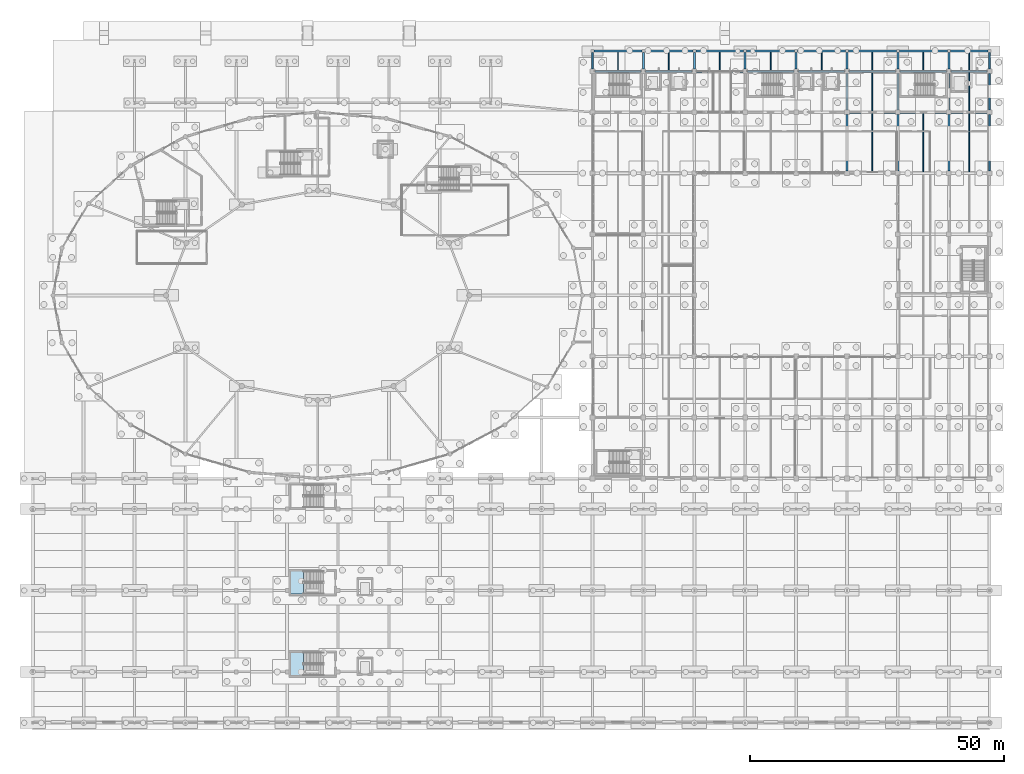
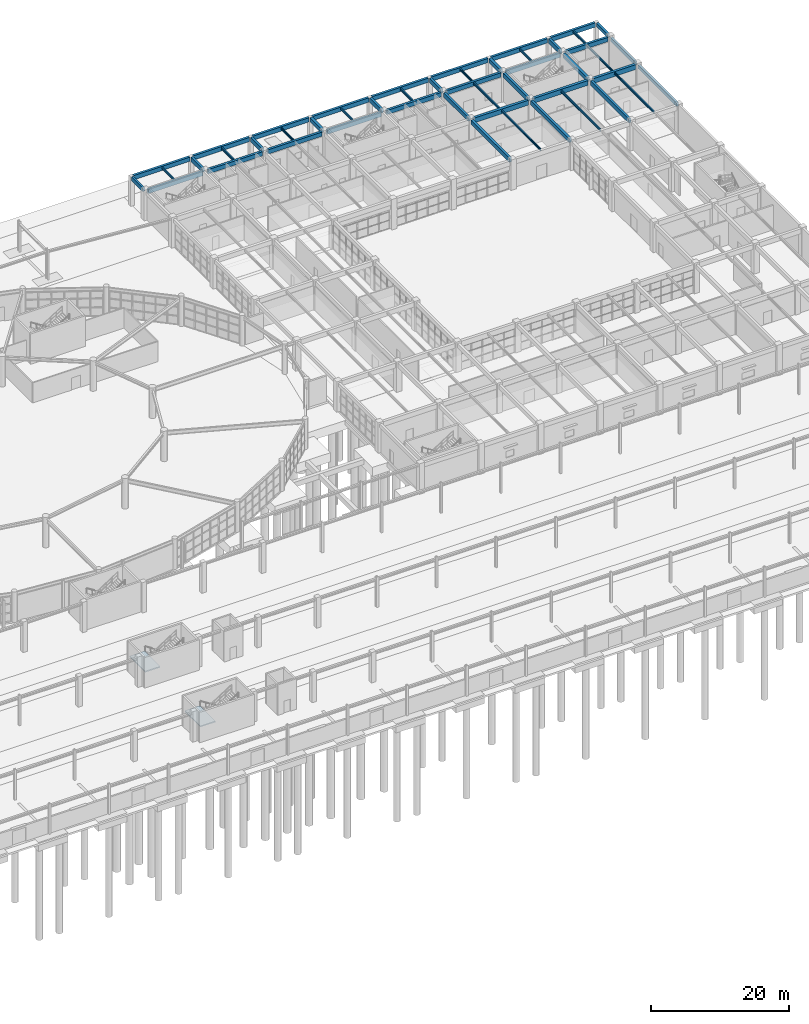
# One storey, part 63 of 99: 49 beams, 2 slabs, 2 elements without a shape of their own.
"""IFC4 building model written with IfcOpenShell, lengths in metres."""

from ifc_helpers import new_model, si_unit, direction, frame, origin, origin_2d, place, context, subcontext, project, spatial, polyline, rectangle, i_section, outline, extrude, material, layer, layer_set, material_profile, profile_set, type_object, element, aggregate, save


model = new_model("IFC4")

# Units and contexts
model_context = context("Model", 3, precision=1e-05, world=origin(), true_north=direction((0.0, 1.0)))
body_context = subcontext(model_context, "Body", "Model", "MODEL_VIEW")
ifc_project = project(units=[si_unit("LENGTHUNIT", "METRE"), si_unit("AREAUNIT", "SQUARE_METRE"), si_unit("VOLUMEUNIT", "CUBIC_METRE"), si_unit("PLANEANGLEUNIT", "RADIAN"), si_unit("MASSUNIT", "GRAM", prefix="KILO")], contexts=[model_context])

# Site, building, storey
site_placement = place(None, origin())
site = spatial("IfcSite", under=ifc_project, at=site_placement, CompositionType="ELEMENT")
building_placement = place(site_placement, origin())
building = spatial("IfcBuilding", under=site, at=building_placement, Name="Kivolera Central Railway Station", CompositionType="ELEMENT")
storey_placement = place(building_placement, origin())
storey = spatial("IfcBuildingStorey", under=building, at=storey_placement, Name="L00", CompositionType="ELEMENT", Elevation=0.0)

# Beams
ifc_material_1 = material(Name="Steel S355", Category="steel")
ifc_material_profile_1 = material_profile(ifc_material_1, i_section(OverallWidth=0.179931640625, OverallDepth=0.39990234375, WebThickness=0.008544921875, FlangeThickness=0.013427734375, FilletRadius=0.02099609375, at=origin_2d()), Name="IPE 400")
ifc_profile_set_1 = profile_set([ifc_material_profile_1], Name="Steel S355")
beam_type_1 = type_object("IfcBeamType", Name="BM-JST-IPE400", PredefinedType="JOIST", material=ifc_profile_set_1)
for number, where, z_axis, x_axis, name in (
    (1, (123.0, 134.19189453125, 4.988037109375), (0.0, 1.0, 0.0), (-1.0, 0.0, 0.0), "L00 Floor Joist 12-13/M-N"),
    (2, (133.0, 134.19189453125, 4.988037109375), (0.0, 1.0, 0.0), (-1.0, 0.0, 0.0), "L00 Floor Joist 13-14/M-N"),
    (3, (143.0, 134.19189453125, 4.988037109375), (0.0, 1.0, 0.0), (-1.0, 0.0, 0.0), "L00 Floor Joist 14-15/M-N"),
    (4, (153.0, 134.19189453125, 4.988037109375), (0.0, 1.0, 0.0), (-1.0, 0.0, 0.0), "L00 Floor Joist 15-16/M-N"),
    (5, (163.0, 134.19189453125, 4.988037109375), (0.0, 1.0, 0.0), (-1.0, 0.0, 0.0), "L00 Floor Joist 16-17/M-N"),
):
    element("IfcBeam", number, at=place(storey_placement, frame(where, z_axis=z_axis, x_axis=x_axis)), inside=storey, type_object=beam_type_1, Name=name, PredefinedType="JOIST", context=body_context, shape_type="SweptSolid", body=[
        extrude(i_section(OverallWidth=0.179931640625, OverallDepth=0.39990234375, WebThickness=0.008544921875, FlangeThickness=0.013427734375, FilletRadius=0.02099609375, at=origin_2d()), origin(), (0.0, 0.0, 1.0), 3.6162109375),
    ])
beam_1_placement = place(storey_placement, frame((173.0, 114.217041015625, 4.907958984375), z_axis=(0.0, 1.0, 0.0), x_axis=(-1.0, 0.0, 0.0)))
element("IfcBeam", 6, at=beam_1_placement, inside=storey, type_object=beam_type_1, Name="L00 Floor Joist 17-18/K-L", PredefinedType="JOIST", context=body_context, shape_type="SweptSolid", body=[
    extrude(i_section(OverallWidth=0.179931640625, OverallDepth=0.39990234375, WebThickness=0.008544921875, FlangeThickness=0.013427734375, FilletRadius=0.02099609375, at=origin_2d()), origin(), (0.0, 0.0, 1.0), 11.56591796875),
])
beam_2_placement = place(storey_placement, frame((173.0, 126.217041015625, 4.907958984375), z_axis=(0.0, 1.0, 0.0), x_axis=(-1.0, 0.0, 0.0)))
element("IfcBeam", 7, at=beam_2_placement, inside=storey, type_object=beam_type_1, Name="L00 Floor Joist 17-18/L-M", PredefinedType="JOIST", context=body_context, shape_type="SweptSolid", body=[
    extrude(i_section(OverallWidth=0.179931640625, OverallDepth=0.39990234375, WebThickness=0.008544921875, FlangeThickness=0.013427734375, FilletRadius=0.02099609375, at=origin_2d()), origin(), (0.0, 0.0, 1.0), 7.591064453125),
])
beam_3_placement = place(storey_placement, frame((173.0, 134.19189453125, 4.988037109375), z_axis=(0.0, 1.0, 0.0), x_axis=(-1.0, 0.0, 0.0)))
element("IfcBeam", 8, at=beam_3_placement, inside=storey, type_object=beam_type_1, Name="L00 Floor Joist 17-18/M-N", PredefinedType="JOIST", context=body_context, shape_type="SweptSolid", body=[
    extrude(i_section(OverallWidth=0.179931640625, OverallDepth=0.39990234375, WebThickness=0.008544921875, FlangeThickness=0.013427734375, FilletRadius=0.02099609375, at=origin_2d()), origin(), (0.0, 0.0, 1.0), 3.6162109375),
])
beam_4_placement = place(storey_placement, frame((183.0, 114.217041015625, 4.907958984375), z_axis=(0.0, 1.0, 0.0), x_axis=(-1.0, 0.0, 0.0)))
element("IfcBeam", 9, at=beam_4_placement, inside=storey, type_object=beam_type_1, Name="L00 Floor Joist 18-19/K-L", PredefinedType="JOIST", context=body_context, shape_type="SweptSolid", body=[
    extrude(i_section(OverallWidth=0.179931640625, OverallDepth=0.39990234375, WebThickness=0.008544921875, FlangeThickness=0.013427734375, FilletRadius=0.02099609375, at=origin_2d()), origin(), (0.0, 0.0, 1.0), 11.56591796875),
])
beam_5_placement = place(storey_placement, frame((183.0, 134.19189453125, 4.988037109375), z_axis=(0.0, 1.0, 0.0), x_axis=(-1.0, 0.0, 0.0)))
element("IfcBeam", 10, at=beam_5_placement, inside=storey, type_object=beam_type_1, Name="L00 Floor Joist 18-19/M-N", PredefinedType="JOIST", context=body_context, shape_type="SweptSolid", body=[
    extrude(i_section(OverallWidth=0.179931640625, OverallDepth=0.39990234375, WebThickness=0.008544921875, FlangeThickness=0.013427734375, FilletRadius=0.02099609375, at=origin_2d()), origin(), (0.0, 0.0, 1.0), 3.6162109375),
])
beam_6_placement = place(storey_placement, frame((192.0, 114.217041015625, 4.907958984375), z_axis=(0.0, 1.0, 0.0), x_axis=(-1.0, 0.0, 0.0)))
element("IfcBeam", 11, at=beam_6_placement, inside=storey, type_object=beam_type_1, Name="L00 Floor Joist 19-20/K-L", PredefinedType="JOIST", context=body_context, shape_type="SweptSolid", body=[
    extrude(i_section(OverallWidth=0.179931640625, OverallDepth=0.39990234375, WebThickness=0.008544921875, FlangeThickness=0.013427734375, FilletRadius=0.02099609375, at=origin_2d()), origin(), (0.0, 0.0, 1.0), 11.56591796875),
])
beam_7_placement = place(storey_placement, frame((192.0, 126.217041015625, 4.907958984375), z_axis=(0.0, 1.0, 0.0), x_axis=(-1.0, 0.0, 0.0)))
element("IfcBeam", 12, at=beam_7_placement, inside=storey, type_object=beam_type_1, Name="L00 Floor Joist 19-20/L-M", PredefinedType="JOIST", context=body_context, shape_type="SweptSolid", body=[
    extrude(i_section(OverallWidth=0.179931640625, OverallDepth=0.39990234375, WebThickness=0.008544921875, FlangeThickness=0.013427734375, FilletRadius=0.02099609375, at=origin_2d()), origin(), (0.0, 0.0, 1.0), 7.591064453125),
])
beam_8_placement = place(storey_placement, frame((192.0, 134.19189453125, 4.988037109375), z_axis=(0.0, 1.0, 0.0), x_axis=(-1.0, 0.0, 0.0)))
element("IfcBeam", 13, at=beam_8_placement, inside=storey, type_object=beam_type_1, Name="L00 Floor Joist 19-20/M-N", PredefinedType="JOIST", context=body_context, shape_type="SweptSolid", body=[
    extrude(i_section(OverallWidth=0.179931640625, OverallDepth=0.39990234375, WebThickness=0.008544921875, FlangeThickness=0.013427734375, FilletRadius=0.02099609375, at=origin_2d()), origin(), (0.0, 0.0, 1.0), 3.6162109375),
])
ifc_material_2 = material(Name="Concrete C40/50", Category="concrete")
ifc_material_profile_2 = material_profile(ifc_material_2, rectangle(XDim=0.39990234375, YDim=0.75, at=origin_2d()), Name="RC 400x750")
ifc_profile_set_2 = profile_set([ifc_material_profile_2], Name="Concrete C40/50")
beam_type_2 = type_object("IfcBeamType", Name="BM-RC-400x750", PredefinedType="BEAM", material=ifc_profile_set_2)
for number, where, z_axis, x_axis, name in (
    (14, (128.0, 134.44189453125, 4.824951171875), (0.0, 1.0, 0.0), (-1.0, 0.0, 0.0), "L00 Wing Y-Beam 13:M-N"),
    (15, (138.0, 134.44189453125, 4.824951171875), (0.0, 1.0, 0.0), (-1.0, 0.0, 0.0), "L00 Wing Y-Beam 14:M-N"),
    (16, (148.0, 134.44189453125, 4.824951171875), (0.0, 1.0, 0.0), (-1.0, 0.0, 0.0), "L00 Wing Y-Beam 15:M-N"),
    (17, (158.0, 134.44189453125, 4.824951171875), (0.0, 1.0, 0.0), (-1.0, 0.0, 0.0), "L00 Wing Y-Beam 16:M-N"),
):
    element("IfcBeam", number, at=place(storey_placement, frame(where, z_axis=z_axis, x_axis=x_axis)), inside=storey, type_object=beam_type_2, Name=name, PredefinedType="BEAM", context=body_context, shape_type="SweptSolid", body=[
        extrude(rectangle(XDim=0.39990234375, YDim=0.75, at=origin_2d()), origin(), (0.0, 0.0, 1.0), 3.26611328125),
    ])
beam_9_placement = place(storey_placement, frame((168.0, 114.44189453125, 4.7451171875), z_axis=(0.0, 1.0, 0.0), x_axis=(-1.0, 0.0, 0.0)))
element("IfcBeam", 18, at=beam_9_placement, inside=storey, type_object=beam_type_2, Name="L00 Wing Y-Beam 17:K-L", PredefinedType="BEAM", context=body_context, shape_type="SweptSolid", body=[
    extrude(rectangle(XDim=0.39990234375, YDim=0.75, at=origin_2d()), origin(), (0.0, 0.0, 1.0), 11.1162109375),
])
beam_10_placement = place(storey_placement, frame((168.0, 126.44189453125, 4.7451171875), z_axis=(0.0, 1.0, 0.0), x_axis=(-1.0, 0.0, 0.0)))
element("IfcBeam", 19, at=beam_10_placement, inside=storey, type_object=beam_type_2, Name="L00 Wing Y-Beam 17:L-M", PredefinedType="BEAM", context=body_context, shape_type="SweptSolid", body=[
    extrude(rectangle(XDim=0.39990234375, YDim=0.75, at=origin_2d()), origin(), (0.0, 0.0, 1.0), 7.1162109375),
])
beam_11_placement = place(storey_placement, frame((168.0, 134.44189453125, 4.824951171875), z_axis=(0.0, 1.0, 0.0), x_axis=(-1.0, 0.0, 0.0)))
element("IfcBeam", 20, at=beam_11_placement, inside=storey, type_object=beam_type_2, Name="L00 Wing Y-Beam 17:M-N", PredefinedType="BEAM", context=body_context, shape_type="SweptSolid", body=[
    extrude(rectangle(XDim=0.39990234375, YDim=0.75, at=origin_2d()), origin(), (0.0, 0.0, 1.0), 3.26611328125),
])
beam_12_placement = place(storey_placement, frame((178.0, 114.44189453125, 4.7451171875), z_axis=(0.0, 1.0, 0.0), x_axis=(-1.0, 0.0, 0.0)))
element("IfcBeam", 21, at=beam_12_placement, inside=storey, type_object=beam_type_2, Name="L00 Wing Y-Beam 18:K-L", PredefinedType="BEAM", context=body_context, shape_type="SweptSolid", body=[
    extrude(rectangle(XDim=0.39990234375, YDim=0.75, at=origin_2d()), origin(), (0.0, 0.0, 1.0), 11.1162109375),
])
beam_13_placement = place(storey_placement, frame((178.0, 126.44189453125, 4.7451171875), z_axis=(0.0, 1.0, 0.0), x_axis=(-1.0, 0.0, 0.0)))
element("IfcBeam", 22, at=beam_13_placement, inside=storey, type_object=beam_type_2, Name="L00 Wing Y-Beam 18:L-M", PredefinedType="BEAM", context=body_context, shape_type="SweptSolid", body=[
    extrude(rectangle(XDim=0.39990234375, YDim=0.75, at=origin_2d()), origin(), (0.0, 0.0, 1.0), 7.1162109375),
])
beam_14_placement = place(storey_placement, frame((178.0, 134.44189453125, 4.824951171875), z_axis=(0.0, 1.0, 0.0), x_axis=(-1.0, 0.0, 0.0)))
element("IfcBeam", 23, at=beam_14_placement, inside=storey, type_object=beam_type_2, Name="L00 Wing Y-Beam 18:M-N", PredefinedType="BEAM", context=body_context, shape_type="SweptSolid", body=[
    extrude(rectangle(XDim=0.39990234375, YDim=0.75, at=origin_2d()), origin(), (0.0, 0.0, 1.0), 3.26611328125),
])
beam_15_placement = place(storey_placement, frame((188.0, 114.44189453125, 4.7451171875), z_axis=(0.0, 1.0, 0.0), x_axis=(-1.0, 0.0, 0.0)))
element("IfcBeam", 24, at=beam_15_placement, inside=storey, type_object=beam_type_2, Name="L00 Wing Y-Beam 19:K-L", PredefinedType="BEAM", context=body_context, shape_type="SweptSolid", body=[
    extrude(rectangle(XDim=0.39990234375, YDim=0.75, at=origin_2d()), origin(), (0.0, 0.0, 1.0), 11.1162109375),
])
beam_16_placement = place(storey_placement, frame((188.0, 126.44189453125, 4.7451171875), z_axis=(0.0, 1.0, 0.0), x_axis=(-1.0, 0.0, 0.0)))
element("IfcBeam", 25, at=beam_16_placement, inside=storey, type_object=beam_type_2, Name="L00 Wing Y-Beam 19:L-M", PredefinedType="BEAM", context=body_context, shape_type="SweptSolid", body=[
    extrude(rectangle(XDim=0.39990234375, YDim=0.75, at=origin_2d()), origin(), (0.0, 0.0, 1.0), 7.1162109375),
])
beam_17_placement = place(storey_placement, frame((188.0, 134.44189453125, 4.824951171875), z_axis=(0.0, 1.0, 0.0), x_axis=(-1.0, 0.0, 0.0)))
element("IfcBeam", 26, at=beam_17_placement, inside=storey, type_object=beam_type_2, Name="L00 Wing Y-Beam 19:M-N", PredefinedType="BEAM", context=body_context, shape_type="SweptSolid", body=[
    extrude(rectangle(XDim=0.39990234375, YDim=0.75, at=origin_2d()), origin(), (0.0, 0.0, 1.0), 3.26611328125),
])
ifc_material_profile_3 = material_profile(ifc_material_2, rectangle(XDim=0.449951171875, YDim=0.85009765625, at=origin_2d()), Name="RC 450x850")
ifc_profile_set_3 = profile_set([ifc_material_profile_3], Name="Concrete C40/50")
beam_type_3 = type_object("IfcBeamType", Name="BM-RC-450x850", PredefinedType="BEAM", material=ifc_profile_set_3)
for number, where, z_axis, x_axis, name in (
    (27, (168.44189453125, 126.0, 4.695068359375), (1.0, 0.0, 0.0), (0.0, 1.0, 0.0), "L00 Wing X-Beam L:17-18"),
    (28, (178.44189453125, 126.0, 4.695068359375), (1.0, 0.0, 0.0), (0.0, 1.0, 0.0), "L00 Wing X-Beam L:18-19"),
):
    element("IfcBeam", number, at=place(storey_placement, frame(where, z_axis=z_axis, x_axis=x_axis)), inside=storey, type_object=beam_type_3, Name=name, PredefinedType="BEAM", context=body_context, shape_type="SweptSolid", body=[
        extrude(rectangle(XDim=0.449951171875, YDim=0.85009765625, at=origin_2d()), origin(), (0.0, 0.0, 1.0), 9.1162109375),
    ])
beam_18_placement = place(storey_placement, frame((188.44189453125, 126.0, 4.695068359375), z_axis=(1.0, 0.0, 0.0), x_axis=(0.0, 1.0, 0.0)))
element("IfcBeam", 29, at=beam_18_placement, inside=storey, type_object=beam_type_3, Name="L00 Wing X-Beam L:19-20", PredefinedType="BEAM", context=body_context, shape_type="SweptSolid", body=[
    extrude(rectangle(XDim=0.449951171875, YDim=0.85009765625, at=origin_2d()), origin(), (0.0, 0.0, 1.0), 7.1162109375),
])
ifc_material_profile_4 = material_profile(ifc_material_2, rectangle(XDim=0.35009765625, YDim=0.64990234375, at=origin_2d()), Name="RC 350x650")
ifc_profile_set_4 = profile_set([ifc_material_profile_4], Name="Concrete C40/50")
beam_type_4 = type_object("IfcBeamType", Name="BM-SPN-RC650", PredefinedType="SPANDREL", material=ifc_profile_set_4)
beam_19_placement = place(storey_placement, frame((118.0, 134.44189453125, 4.875), z_axis=(0.0, 1.0, 0.0), x_axis=(-1.0, 0.0, 0.0)))
element("IfcBeam", 30, at=beam_19_placement, inside=storey, type_object=beam_type_4, Name="L00 Wing Y-Beam 12:M-N", PredefinedType="SPANDREL", context=body_context, shape_type="SweptSolid", body=[
    extrude(rectangle(XDim=0.35009765625, YDim=0.64990234375, at=origin_2d()), origin(), (0.0, 0.0, 1.0), 3.26611328125),
])
beam_20_placement = place(storey_placement, frame((196.0, 114.44189453125, 4.794921875), z_axis=(0.0, 1.0, 0.0), x_axis=(-1.0, 0.0, 0.0)))
element("IfcBeam", 31, at=beam_20_placement, inside=storey, type_object=beam_type_4, Name="L00 Wing Y-Beam 20:K-L", PredefinedType="SPANDREL", context=body_context, shape_type="SweptSolid", body=[
    extrude(rectangle(XDim=0.35009765625, YDim=0.64990234375, at=origin_2d()), origin(), (0.0, 0.0, 1.0), 11.1162109375),
])
beam_21_placement = place(storey_placement, frame((196.0, 126.44189453125, 4.794921875), z_axis=(0.0, 1.0, 0.0), x_axis=(-1.0, 0.0, 0.0)))
element("IfcBeam", 32, at=beam_21_placement, inside=storey, type_object=beam_type_4, Name="L00 Wing Y-Beam 20:L-M", PredefinedType="SPANDREL", context=body_context, shape_type="SweptSolid", body=[
    extrude(rectangle(XDim=0.35009765625, YDim=0.64990234375, at=origin_2d()), origin(), (0.0, 0.0, 1.0), 7.1162109375),
])
beam_22_placement = place(storey_placement, frame((196.0, 134.44189453125, 4.875), z_axis=(0.0, 1.0, 0.0), x_axis=(-1.0, 0.0, 0.0)))
element("IfcBeam", 33, at=beam_22_placement, inside=storey, type_object=beam_type_4, Name="L00 Wing Y-Beam 20:M-N", PredefinedType="SPANDREL", context=body_context, shape_type="SweptSolid", body=[
    extrude(rectangle(XDim=0.35009765625, YDim=0.64990234375, at=origin_2d()), origin(), (0.0, 0.0, 1.0), 3.26611328125),
])
ifc_material_profile_5 = material_profile(ifc_material_2, rectangle(XDim=0.39990234375, YDim=0.75, at=origin_2d()), Name="RC 400x750")
ifc_profile_set_5 = profile_set([ifc_material_profile_5], Name="Concrete C40/50")
beam_type_5 = type_object("IfcBeamType", Name="BM-SPN-RC750", PredefinedType="SPANDREL", material=ifc_profile_set_5)
for number, where, z_axis, x_axis, name in (
    (34, (118.44189453125, 134.0, 4.7451171875), (1.0, 0.0, 0.0), (0.0, 1.0, 0.0), "L00 Wing X-Beam M:12-13"),
    (35, (128.44189453125, 134.0, 4.7451171875), (1.0, 0.0, 0.0), (0.0, 1.0, 0.0), "L00 Wing X-Beam M:13-14"),
    (36, (138.44189453125, 134.0, 4.7451171875), (1.0, 0.0, 0.0), (0.0, 1.0, 0.0), "L00 Wing X-Beam M:14-15"),
    (37, (148.44189453125, 134.0, 4.7451171875), (1.0, 0.0, 0.0), (0.0, 1.0, 0.0), "L00 Wing X-Beam M:15-16"),
    (38, (158.44189453125, 134.0, 4.7451171875), (1.0, 0.0, 0.0), (0.0, 1.0, 0.0), "L00 Wing X-Beam M:16-17"),
    (39, (168.44189453125, 134.0, 4.7451171875), (1.0, 0.0, 0.0), (0.0, 1.0, 0.0), "L00 Wing X-Beam M:17-18"),
    (40, (178.44189453125, 134.0, 4.7451171875), (1.0, 0.0, 0.0), (0.0, 1.0, 0.0), "L00 Wing X-Beam M:18-19"),
):
    element("IfcBeam", number, at=place(storey_placement, frame(where, z_axis=z_axis, x_axis=x_axis)), inside=storey, type_object=beam_type_5, Name=name, PredefinedType="SPANDREL", context=body_context, shape_type="SweptSolid", body=[
        extrude(rectangle(XDim=0.39990234375, YDim=0.75, at=origin_2d()), origin(), (0.0, 0.0, 1.0), 9.1162109375),
    ])
beam_23_placement = place(storey_placement, frame((188.44189453125, 134.0, 4.7451171875), z_axis=(1.0, 0.0, 0.0), x_axis=(0.0, 1.0, 0.0)))
element("IfcBeam", 41, at=beam_23_placement, inside=storey, type_object=beam_type_5, Name="L00 Wing X-Beam M:19-20", PredefinedType="SPANDREL", context=body_context, shape_type="SweptSolid", body=[
    extrude(rectangle(XDim=0.39990234375, YDim=0.75, at=origin_2d()), origin(), (0.0, 0.0, 1.0), 7.1162109375),
])
for number, where, z_axis, x_axis, name in (
    (42, (118.2919921875, 138.0, 4.824951171875), (1.0, 0.0, 0.0), (0.0, 1.0, 0.0), "L00 Wing X-Beam N:12-13"),
    (43, (128.2919921875, 138.0, 4.824951171875), (1.0, 0.0, 0.0), (0.0, 1.0, 0.0), "L00 Wing X-Beam N:13-14"),
    (44, (138.2919921875, 138.0, 4.824951171875), (1.0, 0.0, 0.0), (0.0, 1.0, 0.0), "L00 Wing X-Beam N:14-15"),
    (45, (148.2919921875, 138.0, 4.824951171875), (1.0, 0.0, 0.0), (0.0, 1.0, 0.0), "L00 Wing X-Beam N:15-16"),
    (46, (158.2919921875, 138.0, 4.824951171875), (1.0, 0.0, 0.0), (0.0, 1.0, 0.0), "L00 Wing X-Beam N:16-17"),
    (47, (168.2919921875, 138.0, 4.824951171875), (1.0, 0.0, 0.0), (0.0, 1.0, 0.0), "L00 Wing X-Beam N:17-18"),
    (48, (178.2919921875, 138.0, 4.824951171875), (1.0, 0.0, 0.0), (0.0, 1.0, 0.0), "L00 Wing X-Beam N:18-19"),
):
    element("IfcBeam", number, at=place(storey_placement, frame(where, z_axis=z_axis, x_axis=x_axis)), inside=storey, type_object=beam_type_5, Name=name, PredefinedType="SPANDREL", context=body_context, shape_type="SweptSolid", body=[
        extrude(rectangle(XDim=0.39990234375, YDim=0.75, at=origin_2d()), origin(), (0.0, 0.0, 1.0), 9.416015625),
    ])
beam_24_placement = place(storey_placement, frame((188.2919921875, 138.0, 4.824951171875), z_axis=(1.0, 0.0, 0.0), x_axis=(0.0, 1.0, 0.0)))
element("IfcBeam", 49, at=beam_24_placement, inside=storey, type_object=beam_type_5, Name="L00 Wing X-Beam N:19-20", PredefinedType="SPANDREL", context=body_context, shape_type="SweptSolid", body=[
    extrude(rectangle(XDim=0.39990234375, YDim=0.75, at=origin_2d()), origin(), (0.0, 0.0, 1.0), 7.416015625),
])

# Stair, slab
stair_type = type_object("IfcStairType", Name="STR-2160-30", PredefinedType="HALF_TURN_STAIR", material=ifc_material_2)
stair_1_placement = place(storey_placement, origin())
stair_1 = element("IfcStair", 50, at=stair_1_placement, inside=storey, type_object=stair_type, Name="L00 Platform 2 Interchange Exit Stair ST9", PredefinedType="HALF_TURN_STAIR")
ifc_layer = layer(ifc_material_2, 0.199951171875, Name="Concrete C40/50")
ifc_layer_set = layer_set([ifc_layer], Name="Concrete C40/50")
slab_type = type_object("IfcSlabType", Name="SLB-LND-200", PredefinedType="LANDING", material=ifc_layer_set)
slab_1_placement = place(storey_placement, frame((0.0, 0.0, 2.5)))
slab_1 = element("IfcSlab", 51, at=slab_1_placement, type_object=slab_type, Name="ST9 landing 1", PredefinedType="LANDING", context=body_context, shape_type="SweptSolid", body=[
    extrude(outline(polyline([(61.219970703125, 35.800048828125), (58.699951171875, 35.800048828125), (58.699951171875, 31.300048828125), (61.219970703125, 31.300048828125), (61.219970703125, 35.800048828125)])), origin(), (0.0, 0.0, 1.0), 0.199951171875),
])
aggregate(stair_1, [slab_1])

stair_2_placement = place(storey_placement, origin())
stair_2 = element("IfcStair", 52, at=stair_2_placement, inside=storey, type_object=stair_type, Name="L00 Platform 1 Interchange Exit Stair ST10", PredefinedType="HALF_TURN_STAIR")
slab_2_placement = place(storey_placement, frame((0.0, 0.0, 2.5)))
slab_2 = element("IfcSlab", 53, at=slab_2_placement, type_object=slab_type, Name="ST10 landing 1", PredefinedType="LANDING", context=body_context, shape_type="SweptSolid", body=[
    extrude(outline(polyline([(61.219970703125, 19.800048828125), (58.699951171875, 19.800048828125), (58.699951171875, 15.300048828125), (61.219970703125, 15.300048828125), (61.219970703125, 19.800048828125)])), origin(), (0.0, 0.0, 1.0), 0.199951171875),
])
aggregate(stair_2, [slab_2])

save(model, "model.ifc")
